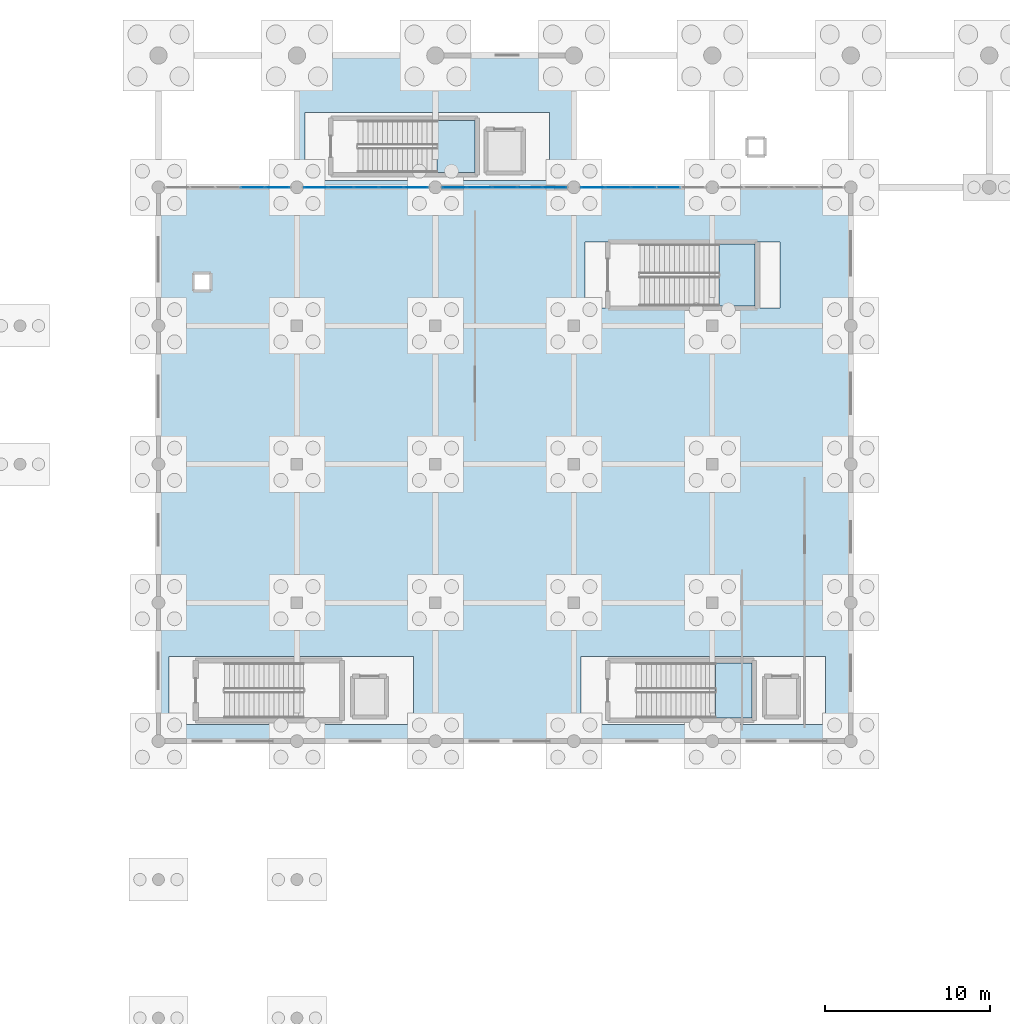
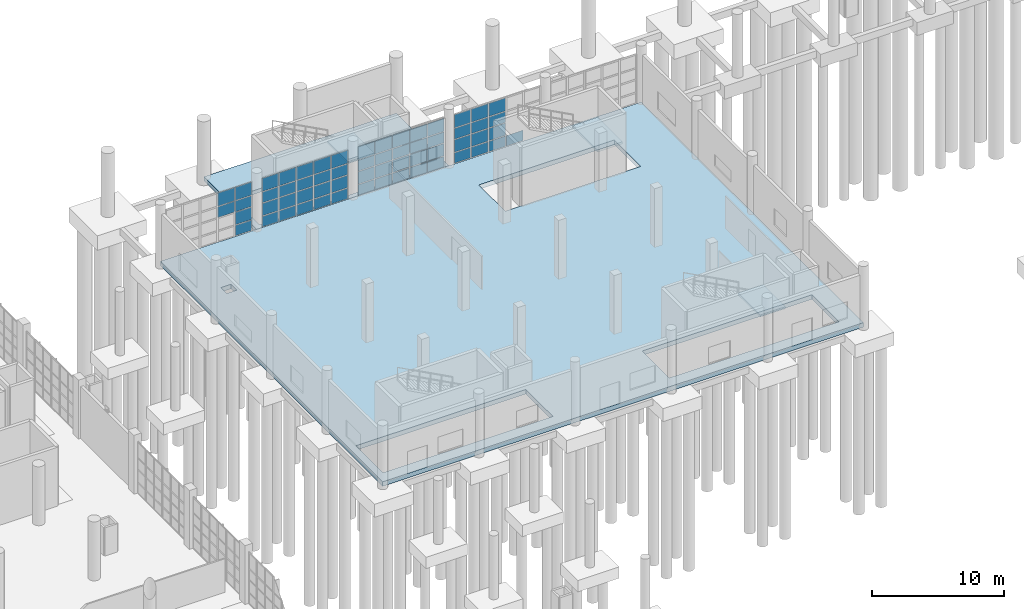
# One storey, part 44 of 83: 59 plates, 5 slabs, 7 elements without a shape of their own.
"""IFC4 building model written with IfcOpenShell, lengths in metres."""

from ifc_helpers import new_model, si_unit, direction, frame, origin, origin_2d, place, context, subcontext, project, spatial, polyline, rectangle, outline, extrude, material, layer, layer_set, type_object, element, aggregate, save


model = new_model("IFC4")

# Units and contexts
model_context = context("Model", 3, precision=1e-05, world=origin(), true_north=direction((0.0, 1.0)))
body_context = subcontext(model_context, "Body", "Model", "MODEL_VIEW")
ifc_project = project(units=[si_unit("LENGTHUNIT", "METRE"), si_unit("AREAUNIT", "SQUARE_METRE"), si_unit("VOLUMEUNIT", "CUBIC_METRE"), si_unit("PLANEANGLEUNIT", "RADIAN"), si_unit("MASSUNIT", "GRAM", prefix="KILO"), si_unit("THERMODYNAMICTEMPERATUREUNIT", "KELVIN"), si_unit("POWERUNIT", "WATT")], contexts=[model_context])

# Site, building, storey
site_placement = place(None, origin())
site = spatial("IfcSite", under=ifc_project, at=site_placement, CompositionType="ELEMENT")
building_placement = place(site_placement, origin())
building = spatial("IfcBuilding", under=site, at=building_placement, Name="Mavoryth Pier Ferry Terminal", CompositionType="ELEMENT")
storey_placement = place(building_placement, origin())
storey = spatial("IfcBuildingStorey", under=building, at=storey_placement, Name="L00", CompositionType="ELEMENT", Elevation=0.0)

# Curtain wall, plates
ifc_material_1 = material(Name="Anodised Aluminium and Solar-Control Low-E Glass", Category="aluminium")
ifc_layer_1 = layer(ifc_material_1, 0.159912109375, Name="Anodised Aluminium and Solar-Control Low-E Glass", Category="aluminium")
ifc_layer_set_1 = layer_set([ifc_layer_1], Name="Anodised Aluminium and Solar-Control Low-E Glass - CW-Arrivals-Mod1400")
curtain_wall_type = type_object("IfcCurtainWallType", Name="CW-Arrivals-Mod1400", PredefinedType="USERDEFINED", material=ifc_layer_set_1)
curtain_wall_1_placement = place(storey_placement, origin())
curtain_wall_1 = element("IfcCurtainWall", 1, at=curtain_wall_1_placement, inside=storey, type_object=curtain_wall_type, Name="Curtain Wall CW-0033-051", ObjectType="UNITISED CURTAIN WALL", PredefinedType="USERDEFINED")
ifc_material_2 = material(Name="Solar-Control Low-E Laminated Double Glazing", Category="glass")
ifc_layer_2 = layer(ifc_material_2, 0.02392578125, Name="Solar-Control Low-E Laminated Double Glazing", Category="glass")
ifc_layer_set_2 = layer_set([ifc_layer_2], Name="Solar-Control Low-E Laminated Double Glazing - Panel-LowE-DGU-24")
plate_type = type_object("IfcPlateType", Name="Panel-LowE-DGU-24", PredefinedType="CURTAIN_PANEL", material=ifc_layer_set_2)
plate_1_placement = place(storey_placement, frame((57.6318359375, 106.0, 0.06494140625), z_axis=(0.0, 0.0, 1.0), x_axis=(-1.0, 0.0, 0.0)))
plate_1 = element("IfcPlate", 2, at=plate_1_placement, type_object=plate_type, Name="CW04 panel 1.1", PredefinedType="CURTAIN_PANEL", context=body_context, shape_type="SweptSolid", body=[
    extrude(rectangle(XDim=1.426513671875, YDim=0.02392578125, at=origin_2d()), origin(), (0.0, 0.0, 1.0), 0.952392578125),
])
plate_2_placement = place(storey_placement, frame((57.6318359375, 106.0, 1.08251953125), z_axis=(0.0, 0.0, 1.0), x_axis=(-1.0, 0.0, 0.0)))
plate_2 = element("IfcPlate", 3, at=plate_2_placement, type_object=plate_type, Name="CW04 panel 1.2", PredefinedType="CURTAIN_PANEL", context=body_context, shape_type="SweptSolid", body=[
    extrude(rectangle(XDim=1.426513671875, YDim=0.02392578125, at=origin_2d()), origin(), (0.0, 0.0, 1.0), 1.135009765625),
])
plate_3_placement = place(storey_placement, frame((57.6318359375, 106.0, 2.2822265625), z_axis=(0.0, 0.0, 1.0), x_axis=(-1.0, 0.0, 0.0)))
plate_3 = element("IfcPlate", 4, at=plate_3_placement, type_object=plate_type, Name="CW04 panel 1.3", PredefinedType="CURTAIN_PANEL", context=body_context, shape_type="SweptSolid", body=[
    extrude(rectangle(XDim=1.426513671875, YDim=0.02392578125, at=origin_2d()), origin(), (0.0, 0.0, 1.0), 0.985107421875),
])
plate_4_placement = place(storey_placement, frame((57.6318359375, 106.0, 3.33251953125), z_axis=(0.0, 0.0, 1.0), x_axis=(-1.0, 0.0, 0.0)))
plate_4 = element("IfcPlate", 5, at=plate_4_placement, type_object=plate_type, Name="CW04 panel 1.4", PredefinedType="CURTAIN_PANEL", context=body_context, shape_type="SweptSolid", body=[
    extrude(rectangle(XDim=1.426513671875, YDim=0.02392578125, at=origin_2d()), origin(), (0.0, 0.0, 1.0), 1.20751953125),
])
plate_5_placement = place(storey_placement, frame((56.1240234375, 106.0, 2.2822265625), z_axis=(0.0, 0.0, 1.0), x_axis=(-1.0, 0.0, 0.0)))
plate_5 = element("IfcPlate", 6, at=plate_5_placement, type_object=plate_type, Name="CW04 panel 2.3", PredefinedType="CURTAIN_PANEL", context=body_context, shape_type="SweptSolid", body=[
    extrude(rectangle(XDim=1.458984375, YDim=0.02392578125, at=origin_2d()), origin(), (0.0, 0.0, 1.0), 0.985107421875),
])
plate_6_placement = place(storey_placement, frame((56.1240234375, 106.0, 3.33251953125), z_axis=(0.0, 0.0, 1.0), x_axis=(-1.0, 0.0, 0.0)))
plate_6 = element("IfcPlate", 7, at=plate_6_placement, type_object=plate_type, Name="CW04 panel 2.4", PredefinedType="CURTAIN_PANEL", context=body_context, shape_type="SweptSolid", body=[
    extrude(rectangle(XDim=1.458984375, YDim=0.02392578125, at=origin_2d()), origin(), (0.0, 0.0, 1.0), 1.20751953125),
])
aggregate(curtain_wall_1, [plate_1, plate_2, plate_3, plate_4, plate_5, plate_6])

curtain_wall_2_placement = place(storey_placement, origin())
curtain_wall_2 = element("IfcCurtainWall", 8, at=curtain_wall_2_placement, inside=storey, type_object=curtain_wall_type, Name="Curtain Wall CW-0033-054", ObjectType="UNITISED CURTAIN WALL", PredefinedType="USERDEFINED")
plate_7_placement = place(storey_placement, frame((66.03173828125, 106.0, 0.06494140625), z_axis=(0.0, 0.0, 1.0), x_axis=(-1.0, 0.0, 0.0)))
plate_7 = element("IfcPlate", 9, at=plate_7_placement, type_object=plate_type, Name="CW04 panel 1.1", PredefinedType="CURTAIN_PANEL", context=body_context, shape_type="SweptSolid", body=[
    extrude(rectangle(XDim=1.426513671875, YDim=0.02392578125, at=origin_2d()), origin(), (0.0, 0.0, 1.0), 0.952392578125),
])
plate_8_placement = place(storey_placement, frame((66.03173828125, 106.0, 1.08251953125), z_axis=(0.0, 0.0, 1.0), x_axis=(-1.0, 0.0, 0.0)))
plate_8 = element("IfcPlate", 10, at=plate_8_placement, type_object=plate_type, Name="CW04 panel 1.2", PredefinedType="CURTAIN_PANEL", context=body_context, shape_type="SweptSolid", body=[
    extrude(rectangle(XDim=1.426513671875, YDim=0.02392578125, at=origin_2d()), origin(), (0.0, 0.0, 1.0), 1.135009765625),
])
plate_9_placement = place(storey_placement, frame((66.03173828125, 106.0, 2.2822265625), z_axis=(0.0, 0.0, 1.0), x_axis=(-1.0, 0.0, 0.0)))
plate_9 = element("IfcPlate", 11, at=plate_9_placement, type_object=plate_type, Name="CW04 panel 1.3", PredefinedType="CURTAIN_PANEL", context=body_context, shape_type="SweptSolid", body=[
    extrude(rectangle(XDim=1.426513671875, YDim=0.02392578125, at=origin_2d()), origin(), (0.0, 0.0, 1.0), 0.985107421875),
])
plate_10_placement = place(storey_placement, frame((66.03173828125, 106.0, 3.33251953125), z_axis=(0.0, 0.0, 1.0), x_axis=(-1.0, 0.0, 0.0)))
plate_10 = element("IfcPlate", 12, at=plate_10_placement, type_object=plate_type, Name="CW04 panel 1.4", PredefinedType="CURTAIN_PANEL", context=body_context, shape_type="SweptSolid", body=[
    extrude(rectangle(XDim=1.426513671875, YDim=0.02392578125, at=origin_2d()), origin(), (0.0, 0.0, 1.0), 1.20751953125),
])
plate_11_placement = place(storey_placement, frame((64.52392578125, 106.0, 0.06494140625), z_axis=(0.0, 0.0, 1.0), x_axis=(-1.0, 0.0, 0.0)))
plate_11 = element("IfcPlate", 13, at=plate_11_placement, type_object=plate_type, Name="CW04 panel 2.1", PredefinedType="CURTAIN_PANEL", context=body_context, shape_type="SweptSolid", body=[
    extrude(rectangle(XDim=1.458984375, YDim=0.02392578125, at=origin_2d()), origin(), (0.0, 0.0, 1.0), 0.952392578125),
])
plate_12_placement = place(storey_placement, frame((64.52392578125, 106.0, 1.08251953125), z_axis=(0.0, 0.0, 1.0), x_axis=(-1.0, 0.0, 0.0)))
plate_12 = element("IfcPlate", 14, at=plate_12_placement, type_object=plate_type, Name="CW04 panel 2.2", PredefinedType="CURTAIN_PANEL", context=body_context, shape_type="SweptSolid", body=[
    extrude(rectangle(XDim=1.458984375, YDim=0.02392578125, at=origin_2d()), origin(), (0.0, 0.0, 1.0), 1.135009765625),
])
plate_13_placement = place(storey_placement, frame((64.52392578125, 106.0, 2.2822265625), z_axis=(0.0, 0.0, 1.0), x_axis=(-1.0, 0.0, 0.0)))
plate_13 = element("IfcPlate", 15, at=plate_13_placement, type_object=plate_type, Name="CW04 panel 2.3", PredefinedType="CURTAIN_PANEL", context=body_context, shape_type="SweptSolid", body=[
    extrude(rectangle(XDim=1.458984375, YDim=0.02392578125, at=origin_2d()), origin(), (0.0, 0.0, 1.0), 0.985107421875),
])
plate_14_placement = place(storey_placement, frame((64.52392578125, 106.0, 3.33251953125), z_axis=(0.0, 0.0, 1.0), x_axis=(-1.0, 0.0, 0.0)))
plate_14 = element("IfcPlate", 16, at=plate_14_placement, type_object=plate_type, Name="CW04 panel 2.4", PredefinedType="CURTAIN_PANEL", context=body_context, shape_type="SweptSolid", body=[
    extrude(rectangle(XDim=1.458984375, YDim=0.02392578125, at=origin_2d()), origin(), (0.0, 0.0, 1.0), 1.20751953125),
])
plate_15_placement = place(storey_placement, frame((63.0, 106.0, 0.06494140625), z_axis=(0.0, 0.0, 1.0), x_axis=(-1.0, 0.0, 0.0)))
plate_15 = element("IfcPlate", 17, at=plate_15_placement, type_object=plate_type, Name="CW04 panel 3.1", PredefinedType="CURTAIN_PANEL", context=body_context, shape_type="SweptSolid", body=[
    extrude(rectangle(XDim=1.458984375, YDim=0.02392578125, at=origin_2d()), origin(), (0.0, 0.0, 1.0), 0.952392578125),
])
plate_16_placement = place(storey_placement, frame((63.0, 106.0, 1.08251953125), z_axis=(0.0, 0.0, 1.0), x_axis=(-1.0, 0.0, 0.0)))
plate_16 = element("IfcPlate", 18, at=plate_16_placement, type_object=plate_type, Name="CW04 panel 3.2", PredefinedType="CURTAIN_PANEL", context=body_context, shape_type="SweptSolid", body=[
    extrude(rectangle(XDim=1.458984375, YDim=0.02392578125, at=origin_2d()), origin(), (0.0, 0.0, 1.0), 1.135009765625),
])
plate_17_placement = place(storey_placement, frame((63.0, 106.0, 2.2822265625), z_axis=(0.0, 0.0, 1.0), x_axis=(-1.0, 0.0, 0.0)))
plate_17 = element("IfcPlate", 19, at=plate_17_placement, type_object=plate_type, Name="CW04 panel 3.3", PredefinedType="CURTAIN_PANEL", context=body_context, shape_type="SweptSolid", body=[
    extrude(rectangle(XDim=1.458984375, YDim=0.02392578125, at=origin_2d()), origin(), (0.0, 0.0, 1.0), 0.985107421875),
])
plate_18_placement = place(storey_placement, frame((63.0, 106.0, 3.33251953125), z_axis=(0.0, 0.0, 1.0), x_axis=(-1.0, 0.0, 0.0)))
plate_18 = element("IfcPlate", 20, at=plate_18_placement, type_object=plate_type, Name="CW04 panel 3.4", PredefinedType="CURTAIN_PANEL", context=body_context, shape_type="SweptSolid", body=[
    extrude(rectangle(XDim=1.458984375, YDim=0.02392578125, at=origin_2d()), origin(), (0.0, 0.0, 1.0), 1.20751953125),
])
plate_19_placement = place(storey_placement, frame((61.47607421875, 106.0, 0.06494140625), z_axis=(0.0, 0.0, 1.0), x_axis=(-1.0, 0.0, 0.0)))
plate_19 = element("IfcPlate", 21, at=plate_19_placement, type_object=plate_type, Name="CW04 panel 4.1", PredefinedType="CURTAIN_PANEL", context=body_context, shape_type="SweptSolid", body=[
    extrude(rectangle(XDim=1.458984375, YDim=0.02392578125, at=origin_2d()), origin(), (0.0, 0.0, 1.0), 0.952392578125),
])
plate_20_placement = place(storey_placement, frame((61.47607421875, 106.0, 1.08251953125), z_axis=(0.0, 0.0, 1.0), x_axis=(-1.0, 0.0, 0.0)))
plate_20 = element("IfcPlate", 22, at=plate_20_placement, type_object=plate_type, Name="CW04 panel 4.2", PredefinedType="CURTAIN_PANEL", context=body_context, shape_type="SweptSolid", body=[
    extrude(rectangle(XDim=1.458984375, YDim=0.02392578125, at=origin_2d()), origin(), (0.0, 0.0, 1.0), 1.135009765625),
])
plate_21_placement = place(storey_placement, frame((61.47607421875, 106.0, 2.2822265625), z_axis=(0.0, 0.0, 1.0), x_axis=(-1.0, 0.0, 0.0)))
plate_21 = element("IfcPlate", 23, at=plate_21_placement, type_object=plate_type, Name="CW04 panel 4.3", PredefinedType="CURTAIN_PANEL", context=body_context, shape_type="SweptSolid", body=[
    extrude(rectangle(XDim=1.458984375, YDim=0.02392578125, at=origin_2d()), origin(), (0.0, 0.0, 1.0), 0.985107421875),
])
plate_22_placement = place(storey_placement, frame((61.47607421875, 106.0, 3.33251953125), z_axis=(0.0, 0.0, 1.0), x_axis=(-1.0, 0.0, 0.0)))
plate_22 = element("IfcPlate", 24, at=plate_22_placement, type_object=plate_type, Name="CW04 panel 4.4", PredefinedType="CURTAIN_PANEL", context=body_context, shape_type="SweptSolid", body=[
    extrude(rectangle(XDim=1.458984375, YDim=0.02392578125, at=origin_2d()), origin(), (0.0, 0.0, 1.0), 1.20751953125),
])
plate_23_placement = place(storey_placement, frame((59.96826171875, 106.0, 0.06494140625), z_axis=(0.0, 0.0, 1.0), x_axis=(-1.0, 0.0, 0.0)))
plate_23 = element("IfcPlate", 25, at=plate_23_placement, type_object=plate_type, Name="CW04 panel 5.1", PredefinedType="CURTAIN_PANEL", context=body_context, shape_type="SweptSolid", body=[
    extrude(rectangle(XDim=1.426513671875, YDim=0.02392578125, at=origin_2d()), origin(), (0.0, 0.0, 1.0), 0.952392578125),
])
plate_24_placement = place(storey_placement, frame((59.96826171875, 106.0, 1.08251953125), z_axis=(0.0, 0.0, 1.0), x_axis=(-1.0, 0.0, 0.0)))
plate_24 = element("IfcPlate", 26, at=plate_24_placement, type_object=plate_type, Name="CW04 panel 5.2", PredefinedType="CURTAIN_PANEL", context=body_context, shape_type="SweptSolid", body=[
    extrude(rectangle(XDim=1.426513671875, YDim=0.02392578125, at=origin_2d()), origin(), (0.0, 0.0, 1.0), 1.135009765625),
])
plate_25_placement = place(storey_placement, frame((59.96826171875, 106.0, 2.2822265625), z_axis=(0.0, 0.0, 1.0), x_axis=(-1.0, 0.0, 0.0)))
plate_25 = element("IfcPlate", 27, at=plate_25_placement, type_object=plate_type, Name="CW04 panel 5.3", PredefinedType="CURTAIN_PANEL", context=body_context, shape_type="SweptSolid", body=[
    extrude(rectangle(XDim=1.426513671875, YDim=0.02392578125, at=origin_2d()), origin(), (0.0, 0.0, 1.0), 0.985107421875),
])
plate_26_placement = place(storey_placement, frame((59.96826171875, 106.0, 3.33251953125), z_axis=(0.0, 0.0, 1.0), x_axis=(-1.0, 0.0, 0.0)))
plate_26 = element("IfcPlate", 28, at=plate_26_placement, type_object=plate_type, Name="CW04 panel 5.4", PredefinedType="CURTAIN_PANEL", context=body_context, shape_type="SweptSolid", body=[
    extrude(rectangle(XDim=1.426513671875, YDim=0.02392578125, at=origin_2d()), origin(), (0.0, 0.0, 1.0), 1.20751953125),
])
aggregate(curtain_wall_2, [plate_7, plate_8, plate_9, plate_10, plate_11, plate_12, plate_13, plate_14, plate_15, plate_16, plate_17, plate_18, plate_19, plate_20, plate_21, plate_22, plate_23, plate_24, plate_25, plate_26])

curtain_wall_3_placement = place(storey_placement, origin())
curtain_wall_3 = element("IfcCurtainWall", 29, at=curtain_wall_3_placement, inside=storey, type_object=curtain_wall_type, Name="Curtain Wall CW-0033-057", ObjectType="UNITISED CURTAIN WALL", PredefinedType="USERDEFINED")
plate_27_placement = place(storey_placement, frame((74.431640625, 106.0, 0.06494140625), z_axis=(0.0, 0.0, 1.0), x_axis=(-1.0, 0.0, 0.0)))
plate_27 = element("IfcPlate", 30, at=plate_27_placement, type_object=plate_type, Name="CW04 panel 1.1", PredefinedType="CURTAIN_PANEL", context=body_context, shape_type="SweptSolid", body=[
    extrude(rectangle(XDim=1.426513671875, YDim=0.02392578125, at=origin_2d()), origin(), (0.0, 0.0, 1.0), 0.952392578125),
])
plate_28_placement = place(storey_placement, frame((74.431640625, 106.0, 1.08251953125), z_axis=(0.0, 0.0, 1.0), x_axis=(-1.0, 0.0, 0.0)))
plate_28 = element("IfcPlate", 31, at=plate_28_placement, type_object=plate_type, Name="CW04 panel 1.2", PredefinedType="CURTAIN_PANEL", context=body_context, shape_type="SweptSolid", body=[
    extrude(rectangle(XDim=1.426513671875, YDim=0.02392578125, at=origin_2d()), origin(), (0.0, 0.0, 1.0), 1.135009765625),
])
plate_29_placement = place(storey_placement, frame((74.431640625, 106.0, 2.2822265625), z_axis=(0.0, 0.0, 1.0), x_axis=(-1.0, 0.0, 0.0)))
plate_29 = element("IfcPlate", 32, at=plate_29_placement, type_object=plate_type, Name="CW04 panel 1.3", PredefinedType="CURTAIN_PANEL", context=body_context, shape_type="SweptSolid", body=[
    extrude(rectangle(XDim=1.426513671875, YDim=0.02392578125, at=origin_2d()), origin(), (0.0, 0.0, 1.0), 0.985107421875),
])
plate_30_placement = place(storey_placement, frame((74.431640625, 106.0, 3.33251953125), z_axis=(0.0, 0.0, 1.0), x_axis=(-1.0, 0.0, 0.0)))
plate_30 = element("IfcPlate", 33, at=plate_30_placement, type_object=plate_type, Name="CW04 panel 1.4", PredefinedType="CURTAIN_PANEL", context=body_context, shape_type="SweptSolid", body=[
    extrude(rectangle(XDim=1.426513671875, YDim=0.02392578125, at=origin_2d()), origin(), (0.0, 0.0, 1.0), 1.20751953125),
])
plate_31_placement = place(storey_placement, frame((72.924072265625, 106.0, 0.06494140625), z_axis=(0.0, 0.0, 1.0), x_axis=(-1.0, 0.0, 0.0)))
plate_31 = element("IfcPlate", 34, at=plate_31_placement, type_object=plate_type, Name="CW04 panel 2.1", PredefinedType="CURTAIN_PANEL", context=body_context, shape_type="SweptSolid", body=[
    extrude(rectangle(XDim=1.458984375, YDim=0.02392578125, at=origin_2d()), origin(), (0.0, 0.0, 1.0), 0.952392578125),
])
plate_32_placement = place(storey_placement, frame((72.924072265625, 106.0, 1.08251953125), z_axis=(0.0, 0.0, 1.0), x_axis=(-1.0, 0.0, 0.0)))
plate_32 = element("IfcPlate", 35, at=plate_32_placement, type_object=plate_type, Name="CW04 panel 2.2", PredefinedType="CURTAIN_PANEL", context=body_context, shape_type="SweptSolid", body=[
    extrude(rectangle(XDim=1.458984375, YDim=0.02392578125, at=origin_2d()), origin(), (0.0, 0.0, 1.0), 1.135009765625),
])
plate_33_placement = place(storey_placement, frame((72.924072265625, 106.0, 2.2822265625), z_axis=(0.0, 0.0, 1.0), x_axis=(-1.0, 0.0, 0.0)))
plate_33 = element("IfcPlate", 36, at=plate_33_placement, type_object=plate_type, Name="CW04 panel 2.3", PredefinedType="CURTAIN_PANEL", context=body_context, shape_type="SweptSolid", body=[
    extrude(rectangle(XDim=1.458984375, YDim=0.02392578125, at=origin_2d()), origin(), (0.0, 0.0, 1.0), 0.985107421875),
])
plate_34_placement = place(storey_placement, frame((72.924072265625, 106.0, 3.33251953125), z_axis=(0.0, 0.0, 1.0), x_axis=(-1.0, 0.0, 0.0)))
plate_34 = element("IfcPlate", 37, at=plate_34_placement, type_object=plate_type, Name="CW04 panel 2.4", PredefinedType="CURTAIN_PANEL", context=body_context, shape_type="SweptSolid", body=[
    extrude(rectangle(XDim=1.458984375, YDim=0.02392578125, at=origin_2d()), origin(), (0.0, 0.0, 1.0), 1.20751953125),
])
plate_35_placement = place(storey_placement, frame((71.39990234375, 106.0, 0.06494140625), z_axis=(0.0, 0.0, 1.0), x_axis=(-1.0, 0.0, 0.0)))
plate_35 = element("IfcPlate", 38, at=plate_35_placement, type_object=plate_type, Name="CW04 panel 3.1", PredefinedType="CURTAIN_PANEL", context=body_context, shape_type="SweptSolid", body=[
    extrude(rectangle(XDim=1.458984375, YDim=0.02392578125, at=origin_2d()), origin(), (0.0, 0.0, 1.0), 0.952392578125),
])
plate_36_placement = place(storey_placement, frame((71.39990234375, 106.0, 1.08251953125), z_axis=(0.0, 0.0, 1.0), x_axis=(-1.0, 0.0, 0.0)))
plate_36 = element("IfcPlate", 39, at=plate_36_placement, type_object=plate_type, Name="CW04 panel 3.2", PredefinedType="CURTAIN_PANEL", context=body_context, shape_type="SweptSolid", body=[
    extrude(rectangle(XDim=1.458984375, YDim=0.02392578125, at=origin_2d()), origin(), (0.0, 0.0, 1.0), 1.135009765625),
])
plate_37_placement = place(storey_placement, frame((71.39990234375, 106.0, 2.2822265625), z_axis=(0.0, 0.0, 1.0), x_axis=(-1.0, 0.0, 0.0)))
plate_37 = element("IfcPlate", 40, at=plate_37_placement, type_object=plate_type, Name="CW04 panel 3.3", PredefinedType="CURTAIN_PANEL", context=body_context, shape_type="SweptSolid", body=[
    extrude(rectangle(XDim=1.458984375, YDim=0.02392578125, at=origin_2d()), origin(), (0.0, 0.0, 1.0), 0.985107421875),
])
plate_38_placement = place(storey_placement, frame((71.39990234375, 106.0, 3.33251953125), z_axis=(0.0, 0.0, 1.0), x_axis=(-1.0, 0.0, 0.0)))
plate_38 = element("IfcPlate", 41, at=plate_38_placement, type_object=plate_type, Name="CW04 panel 3.4", PredefinedType="CURTAIN_PANEL", context=body_context, shape_type="SweptSolid", body=[
    extrude(rectangle(XDim=1.458984375, YDim=0.02392578125, at=origin_2d()), origin(), (0.0, 0.0, 1.0), 1.20751953125),
])
plate_39_placement = place(storey_placement, frame((69.8759765625, 106.0, 0.06494140625), z_axis=(0.0, 0.0, 1.0), x_axis=(-1.0, 0.0, 0.0)))
plate_39 = element("IfcPlate", 42, at=plate_39_placement, type_object=plate_type, Name="CW04 panel 4.1", PredefinedType="CURTAIN_PANEL", context=body_context, shape_type="SweptSolid", body=[
    extrude(rectangle(XDim=1.458984375, YDim=0.02392578125, at=origin_2d()), origin(), (0.0, 0.0, 1.0), 0.952392578125),
])
plate_40_placement = place(storey_placement, frame((69.8759765625, 106.0, 1.08251953125), z_axis=(0.0, 0.0, 1.0), x_axis=(-1.0, 0.0, 0.0)))
plate_40 = element("IfcPlate", 43, at=plate_40_placement, type_object=plate_type, Name="CW04 panel 4.2", PredefinedType="CURTAIN_PANEL", context=body_context, shape_type="SweptSolid", body=[
    extrude(rectangle(XDim=1.458984375, YDim=0.02392578125, at=origin_2d()), origin(), (0.0, 0.0, 1.0), 1.135009765625),
])
plate_41_placement = place(storey_placement, frame((69.8759765625, 106.0, 2.2822265625), z_axis=(0.0, 0.0, 1.0), x_axis=(-1.0, 0.0, 0.0)))
plate_41 = element("IfcPlate", 44, at=plate_41_placement, type_object=plate_type, Name="CW04 panel 4.3", PredefinedType="CURTAIN_PANEL", context=body_context, shape_type="SweptSolid", body=[
    extrude(rectangle(XDim=1.458984375, YDim=0.02392578125, at=origin_2d()), origin(), (0.0, 0.0, 1.0), 0.985107421875),
])
plate_42_placement = place(storey_placement, frame((69.8759765625, 106.0, 3.33251953125), z_axis=(0.0, 0.0, 1.0), x_axis=(-1.0, 0.0, 0.0)))
plate_42 = element("IfcPlate", 45, at=plate_42_placement, type_object=plate_type, Name="CW04 panel 4.4", PredefinedType="CURTAIN_PANEL", context=body_context, shape_type="SweptSolid", body=[
    extrude(rectangle(XDim=1.458984375, YDim=0.02392578125, at=origin_2d()), origin(), (0.0, 0.0, 1.0), 1.20751953125),
])
plate_43_placement = place(storey_placement, frame((68.3681640625, 106.0, 0.06494140625), z_axis=(0.0, 0.0, 1.0), x_axis=(-1.0, 0.0, 0.0)))
plate_43 = element("IfcPlate", 46, at=plate_43_placement, type_object=plate_type, Name="CW04 panel 5.1", PredefinedType="CURTAIN_PANEL", context=body_context, shape_type="SweptSolid", body=[
    extrude(rectangle(XDim=1.426513671875, YDim=0.02392578125, at=origin_2d()), origin(), (0.0, 0.0, 1.0), 0.952392578125),
])
plate_44_placement = place(storey_placement, frame((68.3681640625, 106.0, 1.08251953125), z_axis=(0.0, 0.0, 1.0), x_axis=(-1.0, 0.0, 0.0)))
plate_44 = element("IfcPlate", 47, at=plate_44_placement, type_object=plate_type, Name="CW04 panel 5.2", PredefinedType="CURTAIN_PANEL", context=body_context, shape_type="SweptSolid", body=[
    extrude(rectangle(XDim=1.426513671875, YDim=0.02392578125, at=origin_2d()), origin(), (0.0, 0.0, 1.0), 1.135009765625),
])
plate_45_placement = place(storey_placement, frame((68.3681640625, 106.0, 2.2822265625), z_axis=(0.0, 0.0, 1.0), x_axis=(-1.0, 0.0, 0.0)))
plate_45 = element("IfcPlate", 48, at=plate_45_placement, type_object=plate_type, Name="CW04 panel 5.3", PredefinedType="CURTAIN_PANEL", context=body_context, shape_type="SweptSolid", body=[
    extrude(rectangle(XDim=1.426513671875, YDim=0.02392578125, at=origin_2d()), origin(), (0.0, 0.0, 1.0), 0.985107421875),
])
plate_46_placement = place(storey_placement, frame((68.3681640625, 106.0, 3.33251953125), z_axis=(0.0, 0.0, 1.0), x_axis=(-1.0, 0.0, 0.0)))
plate_46 = element("IfcPlate", 49, at=plate_46_placement, type_object=plate_type, Name="CW04 panel 5.4", PredefinedType="CURTAIN_PANEL", context=body_context, shape_type="SweptSolid", body=[
    extrude(rectangle(XDim=1.426513671875, YDim=0.02392578125, at=origin_2d()), origin(), (0.0, 0.0, 1.0), 1.20751953125),
])
aggregate(curtain_wall_3, [plate_27, plate_28, plate_29, plate_30, plate_31, plate_32, plate_33, plate_34, plate_35, plate_36, plate_37, plate_38, plate_39, plate_40, plate_41, plate_42, plate_43, plate_44, plate_45, plate_46])

curtain_wall_4_placement = place(storey_placement, origin())
curtain_wall_4 = element("IfcCurtainWall", 50, at=curtain_wall_4_placement, inside=storey, type_object=curtain_wall_type, Name="Curtain Wall CW-0033-060", ObjectType="UNITISED CURTAIN WALL", PredefinedType="USERDEFINED")
plate_47_placement = place(storey_placement, frame((81.323974609375, 106.0, 0.06494140625), z_axis=(0.0, 0.0, 1.0), x_axis=(-1.0, 0.0, 0.0)))
plate_47 = element("IfcPlate", 51, at=plate_47_placement, type_object=plate_type, Name="CW04 panel 2.1", PredefinedType="CURTAIN_PANEL", context=body_context, shape_type="SweptSolid", body=[
    extrude(rectangle(XDim=1.458984375, YDim=0.02392578125, at=origin_2d()), origin(), (0.0, 0.0, 1.0), 0.952392578125),
])
plate_48_placement = place(storey_placement, frame((79.800048828125, 106.0, 0.06494140625), z_axis=(0.0, 0.0, 1.0), x_axis=(-1.0, 0.0, 0.0)))
plate_48 = element("IfcPlate", 52, at=plate_48_placement, type_object=plate_type, Name="CW04 panel 3.1", PredefinedType="CURTAIN_PANEL", context=body_context, shape_type="SweptSolid", body=[
    extrude(rectangle(XDim=1.458984375, YDim=0.02392578125, at=origin_2d()), origin(), (0.0, 0.0, 1.0), 0.952392578125),
])
plate_49_placement = place(storey_placement, frame((79.800048828125, 106.0, 1.08251953125), z_axis=(0.0, 0.0, 1.0), x_axis=(-1.0, 0.0, 0.0)))
plate_49 = element("IfcPlate", 53, at=plate_49_placement, type_object=plate_type, Name="CW04 panel 3.2", PredefinedType="CURTAIN_PANEL", context=body_context, shape_type="SweptSolid", body=[
    extrude(rectangle(XDim=1.458984375, YDim=0.02392578125, at=origin_2d()), origin(), (0.0, 0.0, 1.0), 1.135009765625),
])
plate_50_placement = place(storey_placement, frame((79.800048828125, 106.0, 2.2822265625), z_axis=(0.0, 0.0, 1.0), x_axis=(-1.0, 0.0, 0.0)))
plate_50 = element("IfcPlate", 54, at=plate_50_placement, type_object=plate_type, Name="CW04 panel 3.3", PredefinedType="CURTAIN_PANEL", context=body_context, shape_type="SweptSolid", body=[
    extrude(rectangle(XDim=1.458984375, YDim=0.02392578125, at=origin_2d()), origin(), (0.0, 0.0, 1.0), 0.985107421875),
])
plate_51_placement = place(storey_placement, frame((79.800048828125, 106.0, 3.33251953125), z_axis=(0.0, 0.0, 1.0), x_axis=(-1.0, 0.0, 0.0)))
plate_51 = element("IfcPlate", 55, at=plate_51_placement, type_object=plate_type, Name="CW04 panel 3.4", PredefinedType="CURTAIN_PANEL", context=body_context, shape_type="SweptSolid", body=[
    extrude(rectangle(XDim=1.458984375, YDim=0.02392578125, at=origin_2d()), origin(), (0.0, 0.0, 1.0), 1.20751953125),
])
plate_52_placement = place(storey_placement, frame((78.27587890625, 106.0, 0.06494140625), z_axis=(0.0, 0.0, 1.0), x_axis=(-1.0, 0.0, 0.0)))
plate_52 = element("IfcPlate", 56, at=plate_52_placement, type_object=plate_type, Name="CW04 panel 4.1", PredefinedType="CURTAIN_PANEL", context=body_context, shape_type="SweptSolid", body=[
    extrude(rectangle(XDim=1.458984375, YDim=0.02392578125, at=origin_2d()), origin(), (0.0, 0.0, 1.0), 0.952392578125),
])
plate_53_placement = place(storey_placement, frame((78.27587890625, 106.0, 1.08251953125), z_axis=(0.0, 0.0, 1.0), x_axis=(-1.0, 0.0, 0.0)))
plate_53 = element("IfcPlate", 57, at=plate_53_placement, type_object=plate_type, Name="CW04 panel 4.2", PredefinedType="CURTAIN_PANEL", context=body_context, shape_type="SweptSolid", body=[
    extrude(rectangle(XDim=1.458984375, YDim=0.02392578125, at=origin_2d()), origin(), (0.0, 0.0, 1.0), 1.135009765625),
])
plate_54_placement = place(storey_placement, frame((78.27587890625, 106.0, 2.2822265625), z_axis=(0.0, 0.0, 1.0), x_axis=(-1.0, 0.0, 0.0)))
plate_54 = element("IfcPlate", 58, at=plate_54_placement, type_object=plate_type, Name="CW04 panel 4.3", PredefinedType="CURTAIN_PANEL", context=body_context, shape_type="SweptSolid", body=[
    extrude(rectangle(XDim=1.458984375, YDim=0.02392578125, at=origin_2d()), origin(), (0.0, 0.0, 1.0), 0.985107421875),
])
plate_55_placement = place(storey_placement, frame((78.27587890625, 106.0, 3.33251953125), z_axis=(0.0, 0.0, 1.0), x_axis=(-1.0, 0.0, 0.0)))
plate_55 = element("IfcPlate", 59, at=plate_55_placement, type_object=plate_type, Name="CW04 panel 4.4", PredefinedType="CURTAIN_PANEL", context=body_context, shape_type="SweptSolid", body=[
    extrude(rectangle(XDim=1.458984375, YDim=0.02392578125, at=origin_2d()), origin(), (0.0, 0.0, 1.0), 1.20751953125),
])
plate_56_placement = place(storey_placement, frame((76.768310546875, 106.0, 0.06494140625), z_axis=(0.0, 0.0, 1.0), x_axis=(-1.0, 0.0, 0.0)))
plate_56 = element("IfcPlate", 60, at=plate_56_placement, type_object=plate_type, Name="CW04 panel 5.1", PredefinedType="CURTAIN_PANEL", context=body_context, shape_type="SweptSolid", body=[
    extrude(rectangle(XDim=1.426513671875, YDim=0.02392578125, at=origin_2d()), origin(), (0.0, 0.0, 1.0), 0.952392578125),
])
plate_57_placement = place(storey_placement, frame((76.768310546875, 106.0, 1.08251953125), z_axis=(0.0, 0.0, 1.0), x_axis=(-1.0, 0.0, 0.0)))
plate_57 = element("IfcPlate", 61, at=plate_57_placement, type_object=plate_type, Name="CW04 panel 5.2", PredefinedType="CURTAIN_PANEL", context=body_context, shape_type="SweptSolid", body=[
    extrude(rectangle(XDim=1.426513671875, YDim=0.02392578125, at=origin_2d()), origin(), (0.0, 0.0, 1.0), 1.135009765625),
])
plate_58_placement = place(storey_placement, frame((76.768310546875, 106.0, 2.2822265625), z_axis=(0.0, 0.0, 1.0), x_axis=(-1.0, 0.0, 0.0)))
plate_58 = element("IfcPlate", 62, at=plate_58_placement, type_object=plate_type, Name="CW04 panel 5.3", PredefinedType="CURTAIN_PANEL", context=body_context, shape_type="SweptSolid", body=[
    extrude(rectangle(XDim=1.426513671875, YDim=0.02392578125, at=origin_2d()), origin(), (0.0, 0.0, 1.0), 0.985107421875),
])
plate_59_placement = place(storey_placement, frame((76.768310546875, 106.0, 3.33251953125), z_axis=(0.0, 0.0, 1.0), x_axis=(-1.0, 0.0, 0.0)))
plate_59 = element("IfcPlate", 63, at=plate_59_placement, type_object=plate_type, Name="CW04 panel 5.4", PredefinedType="CURTAIN_PANEL", context=body_context, shape_type="SweptSolid", body=[
    extrude(rectangle(XDim=1.426513671875, YDim=0.02392578125, at=origin_2d()), origin(), (0.0, 0.0, 1.0), 1.20751953125),
])
aggregate(curtain_wall_4, [plate_47, plate_48, plate_49, plate_50, plate_51, plate_52, plate_53, plate_54, plate_55, plate_56, plate_57, plate_58, plate_59])

# Slabs
ifc_material_3 = material(Name="Concrete C35/45", Category="concrete")
ifc_layer_3 = layer(ifc_material_3, 0.419921875, Name="Concrete C35/45", Category="concrete")
ifc_layer_set_3 = layer_set([ifc_layer_3], Name="Concrete C35/45 - Slab-Base-Concourse-420")
slab_type_1 = type_object("IfcSlabType", Name="Slab-Base-Concourse-420", PredefinedType="BASESLAB", material=ifc_layer_set_3)
slab_1_placement = place(storey_placement, frame((0.0, 0.0, -0.419921875)))
element("IfcSlab", 64, at=slab_1_placement, inside=storey, type_object=slab_type_1, Name="Slab SLB-V2-L00", PredefinedType="BASESLAB", context=body_context, shape_type="SweptSolid", body=[
    extrude(outline(polyline([(50.39990234375, 72.39990234375), (92.39990234375, 72.39990234375), (92.39990234375, 106.0), (50.39990234375, 106.0), (50.39990234375, 72.39990234375)]), holes=[polyline([(52.60009765625, 99.800048828125), (53.5, 99.800048828125), (53.5, 100.699951171875), (52.60009765625, 100.699951171875), (52.60009765625, 99.800048828125)]), polyline([(51.030029296875, 73.425048828125), (65.8701171875, 73.425048828125), (65.8701171875, 77.52490234375), (51.030029296875, 77.52490234375), (51.030029296875, 73.425048828125)]), polyline([(76.030029296875, 73.425048828125), (90.8701171875, 73.425048828125), (90.8701171875, 77.52490234375), (76.030029296875, 77.52490234375), (76.030029296875, 73.425048828125)]), polyline([(76.280029296875, 98.675048828125), (88.1201171875, 98.675048828125), (88.1201171875, 102.675048828125), (76.280029296875, 102.675048828125), (76.280029296875, 98.675048828125)])]), origin(), (0.0, 0.0, 1.0), 0.419921875),
])
ifc_layer_4 = layer(ifc_material_3, 0.340087890625, Name="Concrete C35/45", Category="concrete")
ifc_layer_set_4 = layer_set([ifc_layer_4], Name="Concrete C35/45 - Slab-Base-QuayApron-340")
slab_type_2 = type_object("IfcSlabType", Name="Slab-Base-QuayApron-340", PredefinedType="BASESLAB", material=ifc_layer_set_4)
slab_2_placement = place(storey_placement, frame((0.0, 0.0, -0.340087890625)))
element("IfcSlab", 65, at=slab_2_placement, inside=storey, type_object=slab_type_2, Name="Slab SLB-V3W-L00", PredefinedType="BASESLAB", context=body_context, shape_type="SweptSolid", body=[
    extrude(outline(polyline([(58.800048828125, 106.0), (75.60009765625, 106.0), (75.60009765625, 114.0), (58.800048828125, 114.0), (58.800048828125, 106.0)]), holes=[polyline([(59.280029296875, 106.425048828125), (74.1201171875, 106.425048828125), (74.1201171875, 110.52490234375), (59.280029296875, 110.52490234375), (59.280029296875, 106.425048828125)])]), origin(), (0.0, 0.0, 1.0), 0.340087890625),
])

# Stair, slab
stair_type_1 = type_object("IfcStairType", Name="Stair-Core-W1600", PredefinedType="TWO_STRAIGHT_RUN_STAIR", material=ifc_material_3)
stair_1_placement = place(storey_placement, origin())
stair_1 = element("IfcStair", 66, at=stair_1_placement, inside=storey, type_object=stair_type_1, Name="L00 Core C2B Stair", PredefinedType="TWO_STRAIGHT_RUN_STAIR")
ifc_layer_5 = layer(ifc_material_3, 0.199951171875, Name="Concrete C35/45", Category="concrete")
ifc_layer_set_5 = layer_set([ifc_layer_5], Name="Concrete C35/45 - Slab-Landing-RC-200")
slab_type_3 = type_object("IfcSlabType", Name="Slab-Landing-RC-200", PredefinedType="LANDING", material=ifc_layer_set_5)
slab_3_placement = place(storey_placement, frame((0.0, 0.0, 2.52001953125)))
slab_3 = element("IfcSlab", 67, at=slab_3_placement, type_object=slab_type_3, Name="ST05 landing 1", PredefinedType="LANDING", context=body_context, shape_type="SweptSolid", body=[
    extrude(outline(polyline([(84.199951171875, 73.800048828125), (86.39990234375, 73.800048828125), (86.39990234375, 77.14990234375), (84.199951171875, 77.14990234375), (84.199951171875, 73.800048828125)])), origin(), (0.0, 0.0, 1.0), 0.199951171875),
])
aggregate(stair_1, [slab_3])

stair_type_2 = type_object("IfcStairType", Name="Stair-Core-W1500", PredefinedType="TWO_STRAIGHT_RUN_STAIR", material=ifc_material_3)
stair_2_placement = place(storey_placement, origin())
stair_2 = element("IfcStair", 68, at=stair_2_placement, inside=storey, type_object=stair_type_2, Name="L00 Core C3A Stair", PredefinedType="TWO_STRAIGHT_RUN_STAIR")
slab_4_placement = place(storey_placement, frame((0.0, 0.0, 2.52001953125)))
slab_4 = element("IfcSlab", 69, at=slab_4_placement, type_object=slab_type_3, Name="ST06 landing 1", PredefinedType="LANDING", context=body_context, shape_type="SweptSolid", body=[
    extrude(outline(polyline([(67.300048828125, 106.89990234375), (69.60009765625, 106.89990234375), (69.60009765625, 110.050048828125), (67.300048828125, 110.050048828125), (67.300048828125, 106.89990234375)])), origin(), (0.0, 0.0, 1.0), 0.199951171875),
])
aggregate(stair_2, [slab_4])

stair_type_3 = type_object("IfcStairType", Name="Stair-Feature-W1800", PredefinedType="TWO_STRAIGHT_RUN_STAIR", material=ifc_material_3)
stair_3_placement = place(storey_placement, origin())
stair_3 = element("IfcStair", 70, at=stair_3_placement, inside=storey, type_object=stair_type_3, Name="L00 Arrivals & Quay Promenade Stair", PredefinedType="TWO_STRAIGHT_RUN_STAIR")
slab_5_placement = place(storey_placement, frame((0.0, 0.0, 2.52001953125)))
slab_5 = element("IfcSlab", 71, at=slab_5_placement, type_object=slab_type_3, Name="ST15 landing 1", PredefinedType="LANDING", context=body_context, shape_type="SweptSolid", body=[
    extrude(outline(polyline([(84.39990234375, 98.800048828125), (86.60009765625, 98.800048828125), (86.60009765625, 102.550048828125), (84.39990234375, 102.550048828125), (84.39990234375, 98.800048828125)])), origin(), (0.0, 0.0, 1.0), 0.199951171875),
])
aggregate(stair_3, [slab_5])

save(model, "model.ifc")
